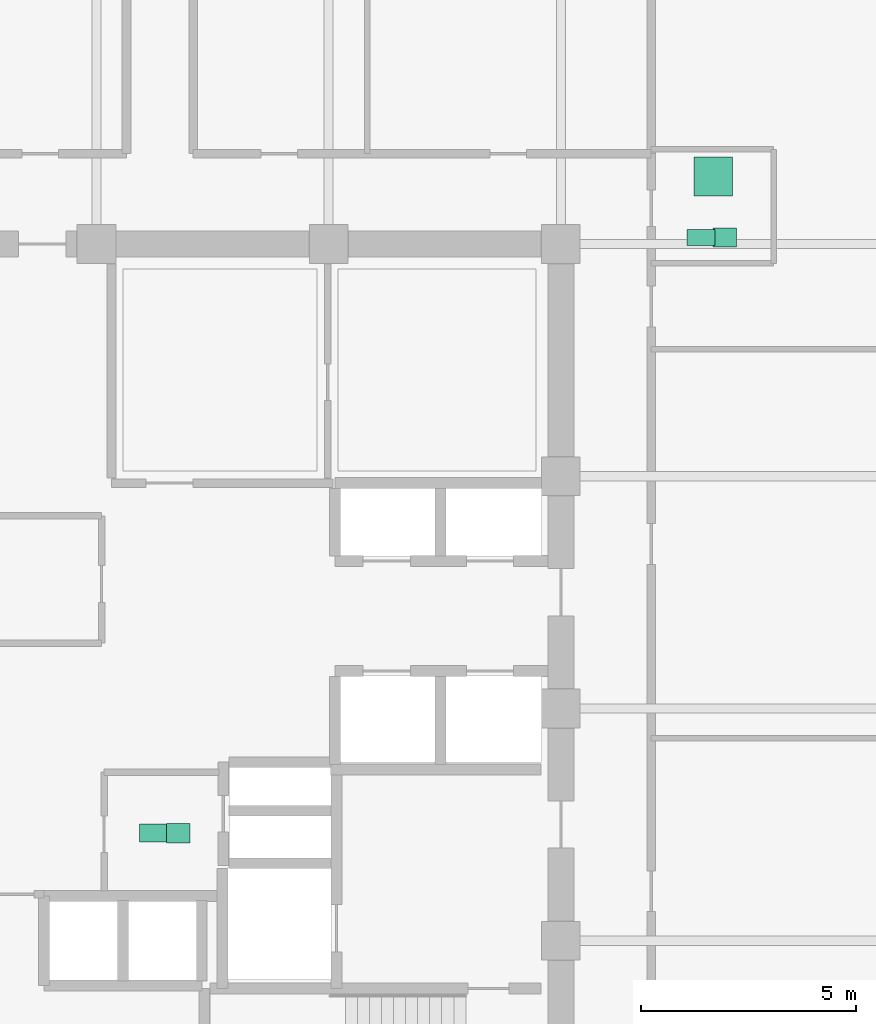
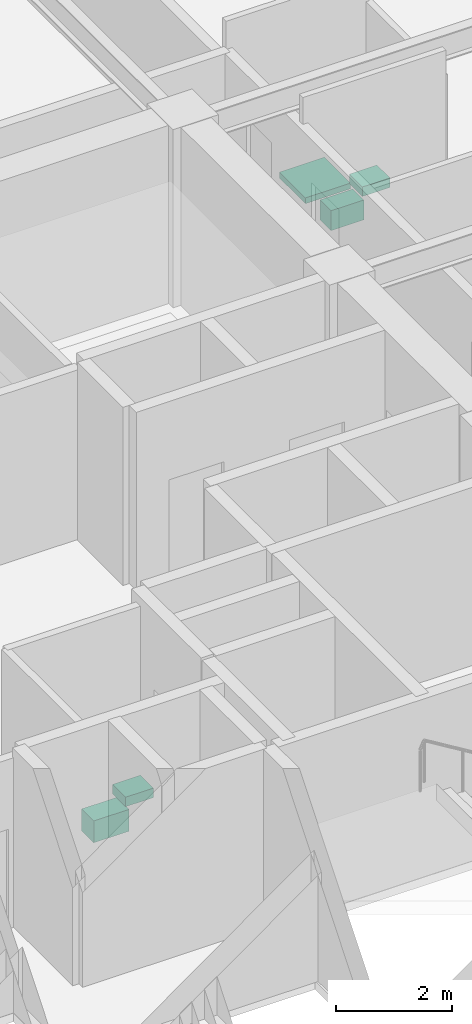
# One storey, part 28 of 28: 5 sanitary terminals.
"""IFC4 building model written with IfcOpenShell, lengths in metres."""

from ifc_helpers import new_model, si_unit, direction, frame, origin, origin_2d, place, context, subcontext, project, spatial, rectangle, extrude, material, type_object, element, save


model = new_model("IFC4")

# Units and contexts
model_context = context("Model", 3, precision=1e-05, world=origin(), true_north=direction((0.0, 1.0)))
body_context = subcontext(model_context, "Body", "Model", "MODEL_VIEW")
ifc_project = project(units=[si_unit("LENGTHUNIT", "METRE"), si_unit("AREAUNIT", "SQUARE_METRE"), si_unit("VOLUMEUNIT", "CUBIC_METRE"), si_unit("PLANEANGLEUNIT", "RADIAN"), si_unit("MASSUNIT", "GRAM", prefix="KILO")], contexts=[model_context])

# Site, building, storey
site_placement = place(None, origin())
site = spatial("IfcSite", under=ifc_project, at=site_placement, CompositionType="ELEMENT")
building_placement = place(site_placement, origin())
building = spatial("IfcBuilding", under=site, at=building_placement, Name="Surkhivell Harbour Commons", CompositionType="ELEMENT")
storey_placement = place(building_placement, frame((0.0, 0.0, 182.25)))
storey = spatial("IfcBuildingStorey", under=building, at=storey_placement, Name="L47", CompositionType="ELEMENT", Elevation=182.25)

# Sanitary terminals
ifc_material_1 = material(Name="Vitreous china washbasin", Category="other")
sanitary_terminal_type_1 = type_object("IfcSanitaryTerminalType", Name="SAN-BSN", PredefinedType="WASHHANDBASIN", material=ifc_material_1)
for number, where, z_axis, x_axis, name in (
    (1, (1.89990234375, -2.89990234375, 0.72021484375), (0.0, 0.0, 1.0), (1.0, 0.0, 0.0), "L47 Core Accessible WC Washbasin"),
    (2, (14.610107421875, 10.949951171875, 0.72021484375), (0.0, 0.0, 1.0), (1.0, 0.0, 0.0), "L47 East Communal Bathroom WC Washbasin"),
):
    element("IfcSanitaryTerminal", number, at=place(storey_placement, frame(where, z_axis=z_axis, x_axis=x_axis)), inside=storey, type_object=sanitary_terminal_type_1, Name=name, PredefinedType="WASHHANDBASIN", context=body_context, shape_type="SweptSolid", body=[
        extrude(rectangle(XDim=0.550048828125, YDim=0.449951171875, at=origin_2d()), origin(), (0.0, 0.0, 1.0), 0.199951171875),
    ])
ifc_material_2 = material(Name="Glazed porcelain shower tray", Category="other")
sanitary_terminal_type_2 = type_object("IfcSanitaryTerminalType", Name="SAN-SHW", PredefinedType="SHOWER", material=ifc_material_2)
sanitary_terminal_1_placement = place(storey_placement, frame((14.340087890625, 12.3701171875, 0.0), z_axis=(0.0, 0.0, 1.0), x_axis=(1.0, 0.0, 0.0)))
element("IfcSanitaryTerminal", 3, at=sanitary_terminal_1_placement, inside=storey, type_object=sanitary_terminal_type_2, Name="L47 East Communal Shower Tray", PredefinedType="SHOWER", context=body_context, shape_type="SweptSolid", body=[
    extrude(rectangle(XDim=0.89990234375, YDim=0.89990234375, at=origin_2d()), origin(), (0.0, 0.0, 1.0), 0.1201171875),
])
ifc_material_3 = material(Name="Vitreous china sanitaryware", Category="other")
sanitary_terminal_type_3 = type_object("IfcSanitaryTerminalType", Name="SAN-WC-ACC", PredefinedType="TOILETPAN", material=ifc_material_3)
sanitary_terminal_2_placement = place(storey_placement, frame((1.35009765625, -2.89990234375, 0.169921875), z_axis=(0.0, 0.0, 1.0), x_axis=(1.0, 0.0, 0.0)))
element("IfcSanitaryTerminal", 4, at=sanitary_terminal_2_placement, inside=storey, type_object=sanitary_terminal_type_3, Name="L47 Core Accessible WC", PredefinedType="TOILETPAN", context=body_context, shape_type="SweptSolid", body=[
    extrude(rectangle(XDim=0.699951171875, YDim=0.419921875, at=origin_2d()), origin(), (0.0, 0.0, 1.0), 0.4599609375),
])
sanitary_terminal_type_4 = type_object("IfcSanitaryTerminalType", Name="SAN-WC-STD", PredefinedType="TOILETPAN", material=ifc_material_3)
sanitary_terminal_3_placement = place(storey_placement, frame((14.06005859375, 10.949951171875, 0.18994140625), z_axis=(0.0, 0.0, 1.0), x_axis=(1.0, 0.0, 0.0)))
element("IfcSanitaryTerminal", 5, at=sanitary_terminal_3_placement, inside=storey, type_object=sanitary_terminal_type_4, Name="L47 East Communal Bathroom WC", PredefinedType="TOILETPAN", context=body_context, shape_type="SweptSolid", body=[
    extrude(rectangle(XDim=0.64990234375, YDim=0.3798828125, at=origin_2d()), origin(), (0.0, 0.0, 1.0), 0.419921875),
])

save(model, "model.ifc")
